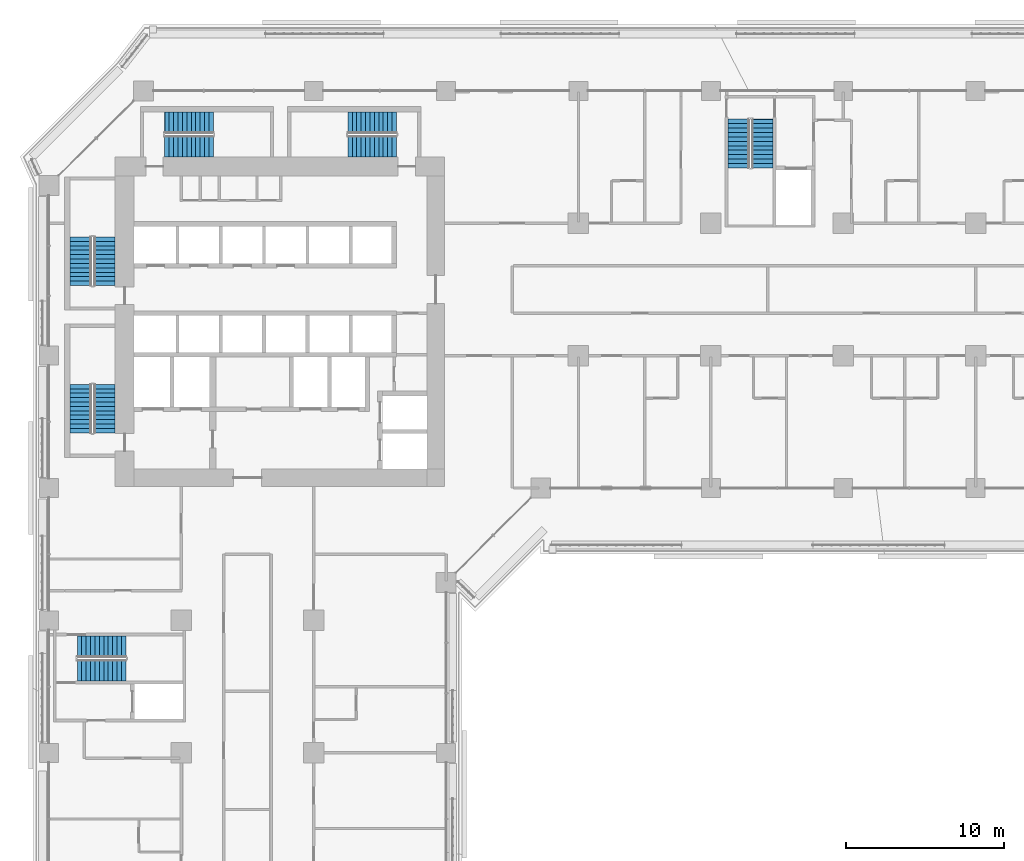
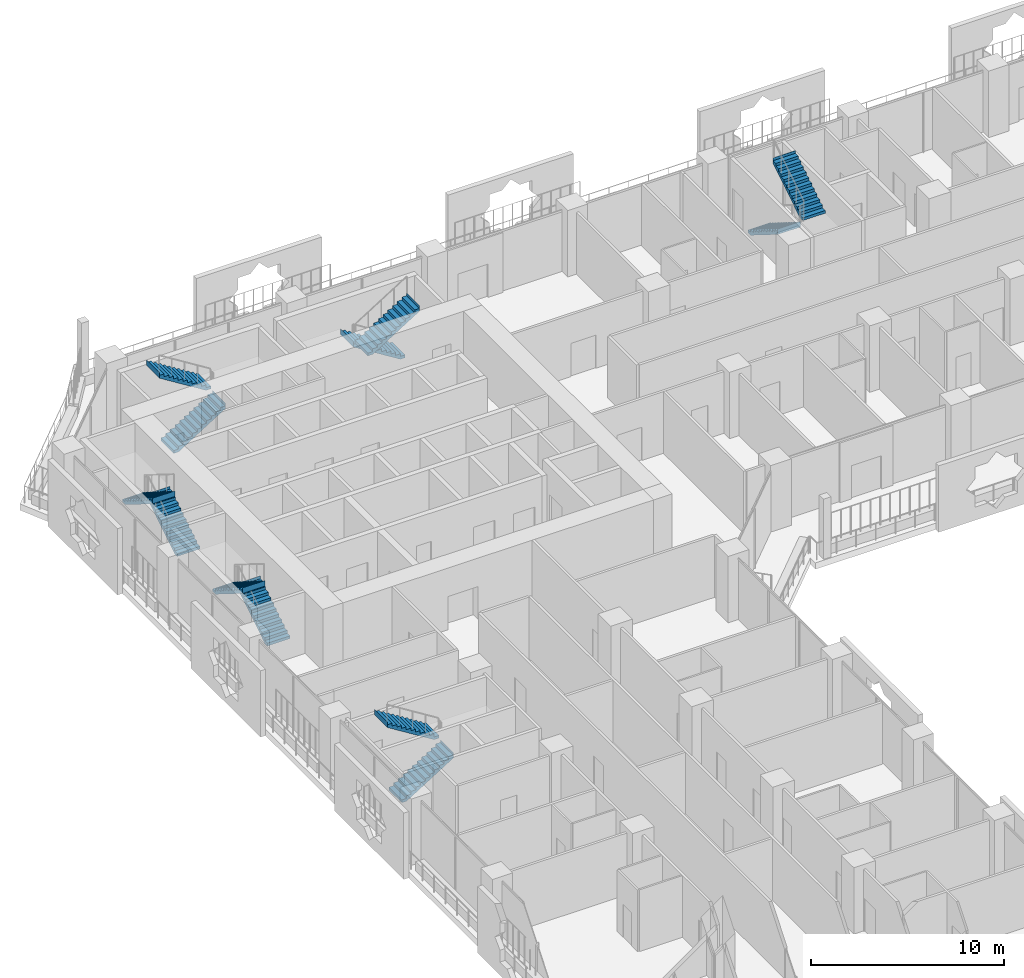
# One storey, part 20 of 28: 12 stair flights, 6 elements without a shape of their own.
"""IFC4 building model written with IfcOpenShell, lengths in metres."""

from ifc_helpers import new_model, si_unit, direction, frame, origin, place, context, subcontext, project, spatial, polyline, outline, extrude, material, type_object, element, aggregate, save


model = new_model("IFC4")

# Units and contexts
model_context = context("Model", 3, precision=1e-05, world=origin(), true_north=direction((0.0, 1.0)))
body_context = subcontext(model_context, "Body", "Model", "MODEL_VIEW")
ifc_project = project(units=[si_unit("LENGTHUNIT", "METRE"), si_unit("AREAUNIT", "SQUARE_METRE"), si_unit("VOLUMEUNIT", "CUBIC_METRE"), si_unit("PLANEANGLEUNIT", "RADIAN"), si_unit("MASSUNIT", "GRAM", prefix="KILO")], contexts=[model_context])

# Site, building, storey
site_placement = place(None, origin())
site = spatial("IfcSite", under=ifc_project, at=site_placement, CompositionType="ELEMENT")
building_placement = place(site_placement, origin())
building = spatial("IfcBuilding", under=site, at=building_placement, Name="Kawkab Arch Medical Tower", CompositionType="ELEMENT")
storey_placement = place(building_placement, frame((0.0, 0.0, 56.0)))
storey = spatial("IfcBuildingStorey", under=building, at=storey_placement, Name="L12", CompositionType="ELEMENT", Elevation=56.0)

# Stair, stair flights
ifc_material_1 = material(Name="Concrete C40/50", Category="concrete")
stair_type = type_object("IfcStairType", Name="Exit stair 1350", PredefinedType="HALF_TURN_STAIR", material=ifc_material_1)
placement = place(storey_placement, origin())
stair_1 = element("IfcStair", 1, at=placement, inside=storey, type_object=stair_type, Name="L12 Exit stair ST1", PredefinedType="HALF_TURN_STAIR")
ifc_material_2 = material(Name="Concrete C40/50", Category="concrete")
stair_flight_type = type_object("IfcStairFlightType", Name="Exit stair flight 1350", PredefinedType="STRAIGHT", material=ifc_material_2)
stair_flight_1_placement = place(storey_placement, frame((3.52490234375, -12.35009765625, 0.0), z_axis=(0.0, 0.0, 1.0), x_axis=(0.0, 1.0, 0.0)))
stair_flight_1 = element("IfcStairFlight", 2, at=stair_flight_1_placement, type_object=stair_flight_type, Name="ST1 flight 1", NumberOfRisers=12, NumberOfTreads=11, PredefinedType="STRAIGHT", RiserHeight=0.175, TreadLength=0.28, context=body_context, shape_type="SweptSolid", body=[
    extrude(outline(polyline([(-0.0029296875, 0.0), (-0.0029296875, 0.175048828125), (0.0, 0.175048828125), (0.280029296875, 0.175048828125), (0.280029296875, 0.35009765625), (0.56005859375, 0.35009765625), (0.56005859375, 0.52490234375), (0.840087890625, 0.52490234375), (0.840087890625, 0.699951171875), (1.1201171875, 0.699951171875), (1.1201171875, 0.875), (1.39990234375, 0.875), (1.39990234375, 1.050048828125), (1.679931640625, 1.050048828125), (1.679931640625, 1.22509765625), (1.9599609375, 1.22509765625), (1.9599609375, 1.39990234375), (2.239990234375, 1.39990234375), (2.239990234375, 1.574951171875), (2.52001953125, 1.574951171875), (2.52001953125, 1.75), (2.800048828125, 1.75), (2.800048828125, 1.925048828125), (3.080078125, 1.925048828125), (3.080078125, 2.10009765625), (3.0830078125, 2.10009765625), (3.0830078125, 1.748291015625), (3.080078125, 1.748291015625), (0.28271484375, 0.0), (-0.0029296875, 0.0)])), frame((0.0, 0.675048828125, 0.0), z_axis=(0.0, -1.0, 0.0), x_axis=(1.0, 0.0, 0.0)), (0.0, 0.0, 1.0), 1.35009765625),
])
stair_flight_2_placement = place(storey_placement, frame((2.02490234375, -9.27001953125, 2.10009765625), z_axis=(0.0, 0.0, 1.0), x_axis=(0.0, -1.0, 0.0)))
stair_flight_2 = element("IfcStairFlight", 3, at=stair_flight_2_placement, type_object=stair_flight_type, Name="ST1 flight 2", NumberOfRisers=12, NumberOfTreads=11, PredefinedType="STRAIGHT", RiserHeight=0.175, TreadLength=0.28, context=body_context, shape_type="SweptSolid", body=[
    extrude(outline(polyline([(-0.0029296875, 0.0), (-0.0029296875, 0.175048828125), (0.0, 0.175048828125), (0.280029296875, 0.175048828125), (0.280029296875, 0.35009765625), (0.56005859375, 0.35009765625), (0.56005859375, 0.52490234375), (0.840087890625, 0.52490234375), (0.840087890625, 0.699951171875), (1.1201171875, 0.699951171875), (1.1201171875, 0.875), (1.39990234375, 0.875), (1.39990234375, 1.050048828125), (1.679931640625, 1.050048828125), (1.679931640625, 1.22509765625), (1.9599609375, 1.22509765625), (1.9599609375, 1.39990234375), (2.239990234375, 1.39990234375), (2.239990234375, 1.574951171875), (2.52001953125, 1.574951171875), (2.52001953125, 1.75), (2.800048828125, 1.75), (2.800048828125, 1.925048828125), (3.080078125, 1.925048828125), (3.080078125, 2.10009765625), (3.0830078125, 2.10009765625), (3.0830078125, 1.748291015625), (3.080078125, 1.748291015625), (0.28271484375, 0.0), (-0.0029296875, 0.0)])), frame((0.0, 0.675048828125, 0.0), z_axis=(0.0, -1.0, 0.0), x_axis=(1.0, 0.0, 0.0)), (0.0, 0.0, 1.0), 1.35009765625),
])
aggregate(stair_1, [stair_flight_1, stair_flight_2])

stair_2 = element("IfcStair", 4, at=placement, inside=storey, type_object=stair_type, Name="L12 Exit stair ST2", PredefinedType="HALF_TURN_STAIR")
stair_flight_3_placement = place(storey_placement, frame((3.52490234375, -21.699951171875, 0.0), z_axis=(0.0, 0.0, 1.0), x_axis=(0.0, 1.0, 0.0)))
stair_flight_3 = element("IfcStairFlight", 5, at=stair_flight_3_placement, type_object=stair_flight_type, Name="ST2 flight 1", NumberOfRisers=12, NumberOfTreads=11, PredefinedType="STRAIGHT", RiserHeight=0.175, TreadLength=0.28, context=body_context, shape_type="SweptSolid", body=[
    extrude(outline(polyline([(-0.0029296875, 0.0), (-0.0029296875, 0.175048828125), (0.0, 0.175048828125), (0.280029296875, 0.175048828125), (0.280029296875, 0.35009765625), (0.56005859375, 0.35009765625), (0.56005859375, 0.52490234375), (0.840087890625, 0.52490234375), (0.840087890625, 0.699951171875), (1.1201171875, 0.699951171875), (1.1201171875, 0.875), (1.39990234375, 0.875), (1.39990234375, 1.050048828125), (1.679931640625, 1.050048828125), (1.679931640625, 1.22509765625), (1.9599609375, 1.22509765625), (1.9599609375, 1.39990234375), (2.239990234375, 1.39990234375), (2.239990234375, 1.574951171875), (2.52001953125, 1.574951171875), (2.52001953125, 1.75), (2.800048828125, 1.75), (2.800048828125, 1.925048828125), (3.080078125, 1.925048828125), (3.080078125, 2.10009765625), (3.0830078125, 2.10009765625), (3.0830078125, 1.748291015625), (3.080078125, 1.748291015625), (0.28271484375, 0.0), (-0.0029296875, 0.0)])), frame((0.0, 0.675048828125, 0.0), z_axis=(0.0, -1.0, 0.0), x_axis=(1.0, 0.0, 0.0)), (0.0, 0.0, 1.0), 1.35009765625),
])
stair_flight_4_placement = place(storey_placement, frame((2.02490234375, -18.6201171875, 2.10009765625), z_axis=(0.0, 0.0, 1.0), x_axis=(0.0, -1.0, 0.0)))
stair_flight_4 = element("IfcStairFlight", 6, at=stair_flight_4_placement, type_object=stair_flight_type, Name="ST2 flight 2", NumberOfRisers=12, NumberOfTreads=11, PredefinedType="STRAIGHT", RiserHeight=0.175, TreadLength=0.28, context=body_context, shape_type="SweptSolid", body=[
    extrude(outline(polyline([(-0.0029296875, 0.0), (-0.0029296875, 0.175048828125), (0.0, 0.175048828125), (0.280029296875, 0.175048828125), (0.280029296875, 0.35009765625), (0.56005859375, 0.35009765625), (0.56005859375, 0.52490234375), (0.840087890625, 0.52490234375), (0.840087890625, 0.699951171875), (1.1201171875, 0.699951171875), (1.1201171875, 0.875), (1.39990234375, 0.875), (1.39990234375, 1.050048828125), (1.679931640625, 1.050048828125), (1.679931640625, 1.22509765625), (1.9599609375, 1.22509765625), (1.9599609375, 1.39990234375), (2.239990234375, 1.39990234375), (2.239990234375, 1.574951171875), (2.52001953125, 1.574951171875), (2.52001953125, 1.75), (2.800048828125, 1.75), (2.800048828125, 1.925048828125), (3.080078125, 1.925048828125), (3.080078125, 2.10009765625), (3.0830078125, 2.10009765625), (3.0830078125, 1.748291015625), (3.080078125, 1.748291015625), (0.28271484375, 0.0), (-0.0029296875, 0.0)])), frame((0.0, 0.675048828125, 0.0), z_axis=(0.0, -1.0, 0.0), x_axis=(1.0, 0.0, 0.0)), (0.0, 0.0, 1.0), 1.35009765625),
])
aggregate(stair_2, [stair_flight_3, stair_flight_4])

stair_3 = element("IfcStair", 7, at=placement, inside=storey, type_object=stair_type, Name="L12 Exit stair ST3", PredefinedType="HALF_TURN_STAIR")
stair_flight_5_placement = place(storey_placement, frame((7.35009765625, -3.52490234375, 0.0), z_axis=(0.0, 0.0, 1.0), x_axis=(1.0, 0.0, 0.0)))
stair_flight_5 = element("IfcStairFlight", 8, at=stair_flight_5_placement, type_object=stair_flight_type, Name="ST3 flight 1", NumberOfRisers=12, NumberOfTreads=11, PredefinedType="STRAIGHT", RiserHeight=0.175, TreadLength=0.28, context=body_context, shape_type="SweptSolid", body=[
    extrude(outline(polyline([(-0.0029296875, 0.0), (-0.0029296875, 0.175048828125), (0.0, 0.175048828125), (0.280029296875, 0.175048828125), (0.280029296875, 0.35009765625), (0.56005859375, 0.35009765625), (0.56005859375, 0.52490234375), (0.840087890625, 0.52490234375), (0.840087890625, 0.699951171875), (1.1201171875, 0.699951171875), (1.1201171875, 0.875), (1.39990234375, 0.875), (1.39990234375, 1.050048828125), (1.679931640625, 1.050048828125), (1.679931640625, 1.22509765625), (1.9599609375, 1.22509765625), (1.9599609375, 1.39990234375), (2.239990234375, 1.39990234375), (2.239990234375, 1.574951171875), (2.52001953125, 1.574951171875), (2.52001953125, 1.75), (2.800048828125, 1.75), (2.800048828125, 1.925048828125), (3.080078125, 1.925048828125), (3.080078125, 2.10009765625), (3.0830078125, 2.10009765625), (3.0830078125, 1.748291015625), (3.080078125, 1.748291015625), (0.28271484375, 0.0), (-0.0029296875, 0.0)])), frame((0.0, 0.675048828125, 0.0), z_axis=(0.0, -1.0, 0.0), x_axis=(1.0, 0.0, 0.0)), (0.0, 0.0, 1.0), 1.35009765625),
])
stair_flight_6_placement = place(storey_placement, frame((10.429931640625, -2.02490234375, 2.10009765625), z_axis=(0.0, 0.0, 1.0), x_axis=(-1.0, 0.0, 0.0)))
stair_flight_6 = element("IfcStairFlight", 9, at=stair_flight_6_placement, type_object=stair_flight_type, Name="ST3 flight 2", NumberOfRisers=12, NumberOfTreads=11, PredefinedType="STRAIGHT", RiserHeight=0.175, TreadLength=0.28, context=body_context, shape_type="SweptSolid", body=[
    extrude(outline(polyline([(-0.0029296875, 0.0), (-0.0029296875, 0.175048828125), (0.0, 0.175048828125), (0.280029296875, 0.175048828125), (0.280029296875, 0.35009765625), (0.56005859375, 0.35009765625), (0.56005859375, 0.52490234375), (0.840087890625, 0.52490234375), (0.840087890625, 0.699951171875), (1.1201171875, 0.699951171875), (1.1201171875, 0.875), (1.39990234375, 0.875), (1.39990234375, 1.050048828125), (1.679931640625, 1.050048828125), (1.679931640625, 1.22509765625), (1.9599609375, 1.22509765625), (1.9599609375, 1.39990234375), (2.239990234375, 1.39990234375), (2.239990234375, 1.574951171875), (2.52001953125, 1.574951171875), (2.52001953125, 1.75), (2.800048828125, 1.75), (2.800048828125, 1.925048828125), (3.080078125, 1.925048828125), (3.080078125, 2.10009765625), (3.0830078125, 2.10009765625), (3.0830078125, 1.748291015625), (3.080078125, 1.748291015625), (0.28271484375, 0.0), (-0.0029296875, 0.0)])), frame((0.0, 0.675048828125, 0.0), z_axis=(0.0, -1.0, 0.0), x_axis=(1.0, 0.0, 0.0)), (0.0, 0.0, 1.0), 1.35009765625),
])
aggregate(stair_3, [stair_flight_5, stair_flight_6])

stair_4 = element("IfcStair", 10, at=placement, inside=storey, type_object=stair_type, Name="L12 Exit stair ST4", PredefinedType="HALF_TURN_STAIR")
stair_flight_7_placement = place(storey_placement, frame((22.050048828125, -2.02490234375, 0.0), z_axis=(0.0, 0.0, 1.0), x_axis=(-1.0, 0.0, 0.0)))
stair_flight_7 = element("IfcStairFlight", 11, at=stair_flight_7_placement, type_object=stair_flight_type, Name="ST4 flight 1", NumberOfRisers=12, NumberOfTreads=11, PredefinedType="STRAIGHT", RiserHeight=0.175, TreadLength=0.28, context=body_context, shape_type="SweptSolid", body=[
    extrude(outline(polyline([(-0.0029296875, 0.0), (-0.0029296875, 0.175048828125), (0.0, 0.175048828125), (0.280029296875, 0.175048828125), (0.280029296875, 0.35009765625), (0.56005859375, 0.35009765625), (0.56005859375, 0.52490234375), (0.840087890625, 0.52490234375), (0.840087890625, 0.699951171875), (1.1201171875, 0.699951171875), (1.1201171875, 0.875), (1.39990234375, 0.875), (1.39990234375, 1.050048828125), (1.679931640625, 1.050048828125), (1.679931640625, 1.22509765625), (1.9599609375, 1.22509765625), (1.9599609375, 1.39990234375), (2.239990234375, 1.39990234375), (2.239990234375, 1.574951171875), (2.52001953125, 1.574951171875), (2.52001953125, 1.75), (2.800048828125, 1.75), (2.800048828125, 1.925048828125), (3.080078125, 1.925048828125), (3.080078125, 2.10009765625), (3.0830078125, 2.10009765625), (3.0830078125, 1.748291015625), (3.080078125, 1.748291015625), (0.28271484375, 0.0), (-0.0029296875, 0.0)])), frame((0.0, 0.675048828125, 0.0), z_axis=(0.0, -1.0, 0.0), x_axis=(1.0, 0.0, 0.0)), (0.0, 0.0, 1.0), 1.35009765625),
])
stair_flight_8_placement = place(storey_placement, frame((18.969970703125, -3.52490234375, 2.10009765625), z_axis=(0.0, 0.0, 1.0), x_axis=(1.0, 0.0, 0.0)))
stair_flight_8 = element("IfcStairFlight", 12, at=stair_flight_8_placement, type_object=stair_flight_type, Name="ST4 flight 2", NumberOfRisers=12, NumberOfTreads=11, PredefinedType="STRAIGHT", RiserHeight=0.175, TreadLength=0.28, context=body_context, shape_type="SweptSolid", body=[
    extrude(outline(polyline([(-0.0029296875, 0.0), (-0.0029296875, 0.175048828125), (0.0, 0.175048828125), (0.280029296875, 0.175048828125), (0.280029296875, 0.35009765625), (0.56005859375, 0.35009765625), (0.56005859375, 0.52490234375), (0.840087890625, 0.52490234375), (0.840087890625, 0.699951171875), (1.1201171875, 0.699951171875), (1.1201171875, 0.875), (1.39990234375, 0.875), (1.39990234375, 1.050048828125), (1.679931640625, 1.050048828125), (1.679931640625, 1.22509765625), (1.9599609375, 1.22509765625), (1.9599609375, 1.39990234375), (2.239990234375, 1.39990234375), (2.239990234375, 1.574951171875), (2.52001953125, 1.574951171875), (2.52001953125, 1.75), (2.800048828125, 1.75), (2.800048828125, 1.925048828125), (3.080078125, 1.925048828125), (3.080078125, 2.10009765625), (3.0830078125, 2.10009765625), (3.0830078125, 1.748291015625), (3.080078125, 1.748291015625), (0.28271484375, 0.0), (-0.0029296875, 0.0)])), frame((0.0, 0.675048828125, 0.0), z_axis=(0.0, -1.0, 0.0), x_axis=(1.0, 0.0, 0.0)), (0.0, 0.0, 1.0), 1.35009765625),
])
aggregate(stair_4, [stair_flight_7, stair_flight_8])

stair_5 = element("IfcStair", 13, at=placement, inside=storey, type_object=stair_type, Name="L12 Exit stair ST5", PredefinedType="HALF_TURN_STAIR")
stair_flight_9_placement = place(storey_placement, frame((43.77490234375, -1.800048828125, 0.0), z_axis=(0.0, 0.0, 1.0), x_axis=(0.0, -1.0, 0.0)))
stair_flight_9 = element("IfcStairFlight", 14, at=stair_flight_9_placement, type_object=stair_flight_type, Name="ST5 flight 1", NumberOfRisers=12, NumberOfTreads=11, PredefinedType="STRAIGHT", RiserHeight=0.175, TreadLength=0.28, context=body_context, shape_type="SweptSolid", body=[
    extrude(outline(polyline([(-0.0029296875, 0.0), (-0.0029296875, 0.175048828125), (0.0, 0.175048828125), (0.280029296875, 0.175048828125), (0.280029296875, 0.35009765625), (0.56005859375, 0.35009765625), (0.56005859375, 0.52490234375), (0.840087890625, 0.52490234375), (0.840087890625, 0.699951171875), (1.1201171875, 0.699951171875), (1.1201171875, 0.875), (1.39990234375, 0.875), (1.39990234375, 1.050048828125), (1.679931640625, 1.050048828125), (1.679931640625, 1.22509765625), (1.9599609375, 1.22509765625), (1.9599609375, 1.39990234375), (2.239990234375, 1.39990234375), (2.239990234375, 1.574951171875), (2.52001953125, 1.574951171875), (2.52001953125, 1.75), (2.800048828125, 1.75), (2.800048828125, 1.925048828125), (3.080078125, 1.925048828125), (3.080078125, 2.10009765625), (3.0830078125, 2.10009765625), (3.0830078125, 1.748291015625), (3.080078125, 1.748291015625), (0.28271484375, 0.0), (-0.0029296875, 0.0)])), frame((0.0, 0.675048828125, 0.0), z_axis=(0.0, -1.0, 0.0), x_axis=(1.0, 0.0, 0.0)), (0.0, 0.0, 1.0), 1.35009765625),
])
stair_flight_10_placement = place(storey_placement, frame((45.27490234375, -4.8798828125, 2.10009765625), z_axis=(0.0, 0.0, 1.0), x_axis=(0.0, 1.0, 0.0)))
stair_flight_10 = element("IfcStairFlight", 15, at=stair_flight_10_placement, type_object=stair_flight_type, Name="ST5 flight 2", NumberOfRisers=12, NumberOfTreads=11, PredefinedType="STRAIGHT", RiserHeight=0.175, TreadLength=0.28, context=body_context, shape_type="SweptSolid", body=[
    extrude(outline(polyline([(-0.0029296875, 0.0), (-0.0029296875, 0.175048828125), (0.0, 0.175048828125), (0.280029296875, 0.175048828125), (0.280029296875, 0.35009765625), (0.56005859375, 0.35009765625), (0.56005859375, 0.52490234375), (0.840087890625, 0.52490234375), (0.840087890625, 0.699951171875), (1.1201171875, 0.699951171875), (1.1201171875, 0.875), (1.39990234375, 0.875), (1.39990234375, 1.050048828125), (1.679931640625, 1.050048828125), (1.679931640625, 1.22509765625), (1.9599609375, 1.22509765625), (1.9599609375, 1.39990234375), (2.239990234375, 1.39990234375), (2.239990234375, 1.574951171875), (2.52001953125, 1.574951171875), (2.52001953125, 1.75), (2.800048828125, 1.75), (2.800048828125, 1.925048828125), (3.080078125, 1.925048828125), (3.080078125, 2.10009765625), (3.0830078125, 2.10009765625), (3.0830078125, 1.748291015625), (3.080078125, 1.748291015625), (0.28271484375, 0.0), (-0.0029296875, 0.0)])), frame((0.0, 0.675048828125, 0.0), z_axis=(0.0, -1.0, 0.0), x_axis=(1.0, 0.0, 0.0)), (0.0, 0.0, 1.0), 1.35009765625),
])
aggregate(stair_5, [stair_flight_9, stair_flight_10])

stair_6 = element("IfcStair", 16, at=placement, inside=storey, type_object=stair_type, Name="L12 Exit stair ST6", PredefinedType="HALF_TURN_STAIR")
stair_flight_11_placement = place(storey_placement, frame((1.800048828125, -36.77490234375, 0.0), z_axis=(0.0, 0.0, 1.0), x_axis=(1.0, 0.0, 0.0)))
stair_flight_11 = element("IfcStairFlight", 17, at=stair_flight_11_placement, type_object=stair_flight_type, Name="ST6 flight 1", NumberOfRisers=12, NumberOfTreads=11, PredefinedType="STRAIGHT", RiserHeight=0.175, TreadLength=0.28, context=body_context, shape_type="SweptSolid", body=[
    extrude(outline(polyline([(-0.0029296875, 0.0), (-0.0029296875, 0.175048828125), (0.0, 0.175048828125), (0.280029296875, 0.175048828125), (0.280029296875, 0.35009765625), (0.56005859375, 0.35009765625), (0.56005859375, 0.52490234375), (0.840087890625, 0.52490234375), (0.840087890625, 0.699951171875), (1.1201171875, 0.699951171875), (1.1201171875, 0.875), (1.39990234375, 0.875), (1.39990234375, 1.050048828125), (1.679931640625, 1.050048828125), (1.679931640625, 1.22509765625), (1.9599609375, 1.22509765625), (1.9599609375, 1.39990234375), (2.239990234375, 1.39990234375), (2.239990234375, 1.574951171875), (2.52001953125, 1.574951171875), (2.52001953125, 1.75), (2.800048828125, 1.75), (2.800048828125, 1.925048828125), (3.080078125, 1.925048828125), (3.080078125, 2.10009765625), (3.0830078125, 2.10009765625), (3.0830078125, 1.748291015625), (3.080078125, 1.748291015625), (0.28271484375, 0.0), (-0.0029296875, 0.0)])), frame((0.0, 0.675048828125, 0.0), z_axis=(0.0, -1.0, 0.0), x_axis=(1.0, 0.0, 0.0)), (0.0, 0.0, 1.0), 1.35009765625),
])
stair_flight_12_placement = place(storey_placement, frame((4.8798828125, -35.27490234375, 2.10009765625), z_axis=(0.0, 0.0, 1.0), x_axis=(-1.0, 0.0, 0.0)))
stair_flight_12 = element("IfcStairFlight", 18, at=stair_flight_12_placement, type_object=stair_flight_type, Name="ST6 flight 2", NumberOfRisers=12, NumberOfTreads=11, PredefinedType="STRAIGHT", RiserHeight=0.175, TreadLength=0.28, context=body_context, shape_type="SweptSolid", body=[
    extrude(outline(polyline([(-0.0029296875, 0.0), (-0.0029296875, 0.175048828125), (0.0, 0.175048828125), (0.280029296875, 0.175048828125), (0.280029296875, 0.35009765625), (0.56005859375, 0.35009765625), (0.56005859375, 0.52490234375), (0.840087890625, 0.52490234375), (0.840087890625, 0.699951171875), (1.1201171875, 0.699951171875), (1.1201171875, 0.875), (1.39990234375, 0.875), (1.39990234375, 1.050048828125), (1.679931640625, 1.050048828125), (1.679931640625, 1.22509765625), (1.9599609375, 1.22509765625), (1.9599609375, 1.39990234375), (2.239990234375, 1.39990234375), (2.239990234375, 1.574951171875), (2.52001953125, 1.574951171875), (2.52001953125, 1.75), (2.800048828125, 1.75), (2.800048828125, 1.925048828125), (3.080078125, 1.925048828125), (3.080078125, 2.10009765625), (3.0830078125, 2.10009765625), (3.0830078125, 1.748291015625), (3.080078125, 1.748291015625), (0.28271484375, 0.0), (-0.0029296875, 0.0)])), frame((0.0, 0.675048828125, 0.0), z_axis=(0.0, -1.0, 0.0), x_axis=(1.0, 0.0, 0.0)), (0.0, 0.0, 1.0), 1.35009765625),
])
aggregate(stair_6, [stair_flight_11, stair_flight_12])

save(model, "model.ifc")
